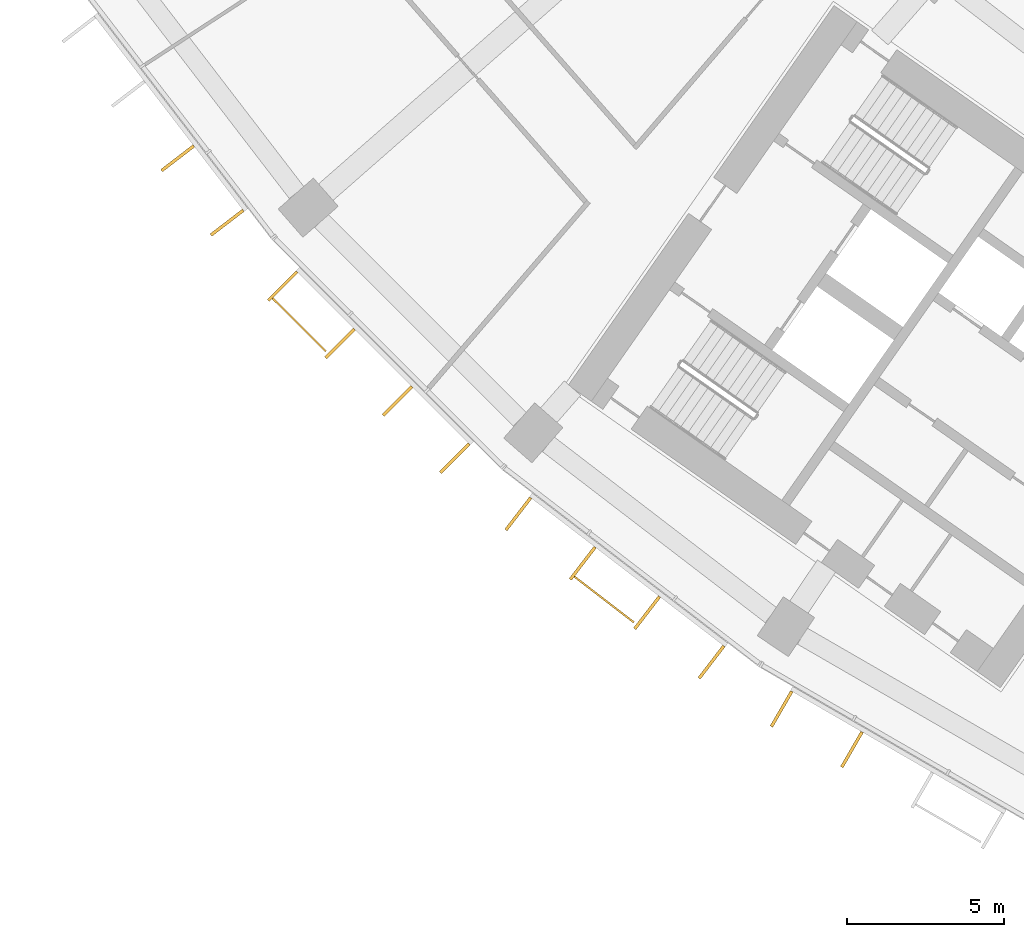
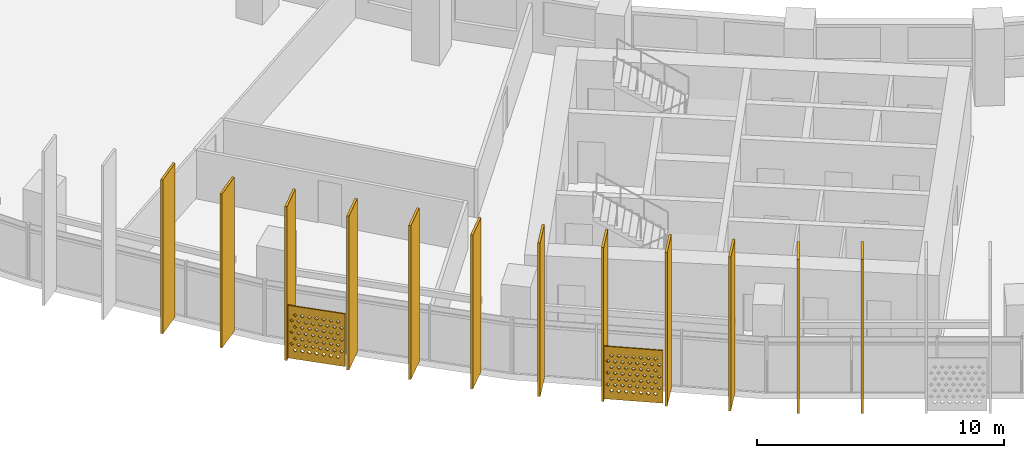
# One storey, part 23 of 30: 14 shading devices.
"""IFC4 building model written with IfcOpenShell, lengths in metres."""

import ifcopenshell
import ifcopenshell.guid

model = None  # the IFC model being written
_history = None  # IfcOwnerHistory: only IFC2X3 demands one
_inside = {}  # id of a spatial element -> (the spatial element, [elements in it])
_under = {}  # id of a project, library or spatial element -> (it, [spatial elements below it])
_declared = {}  # id of a project -> (the project, [libraries it declares])
_typed = {}  # id of a type object -> (the type object, [elements of that type])
_made_of = {}  # id of a material, layer set ... -> (it, [elements and type objects made of it])


def new_model(schema):
    """Start an empty IFC model of exactly this schema.

    Asked for "IFC4X3", IfcOpenShell would pick the latest addendum, in which some entities
    have other attributes; the version numbers below select the first issue.
    IFC2X3 requires an IfcOwnerHistory on every rooted entity: one is made here for all.
    """
    global model, _history
    if schema == "IFC4X3":
        model = ifcopenshell.file(schema_version=(4, 3, 0, 0))
    else:
        model = ifcopenshell.file(schema=schema)
    _inside.clear()
    _under.clear()
    _declared.clear()
    _typed.clear()
    _made_of.clear()
    _history = None
    if model.schema == "IFC2X3":
        org = make("IfcOrganization", Name="unknown")
        user = make(
            "IfcPersonAndOrganization",
            ThePerson=make("IfcPerson", FamilyName="unknown"),
            TheOrganization=org,
        )
        app = make(
            "IfcApplication",
            ApplicationDeveloper=org,
            Version="unknown",
            ApplicationFullName="unknown",
            ApplicationIdentifier="unknown",
        )
        _history = make(
            "IfcOwnerHistory",
            OwningUser=user,
            OwningApplication=app,
            ChangeAction="ADDED",
            CreationDate=0,
        )
    return model


def make(cls, **values):
    """One entity of the class cls with the attributes given. An attribute that is None is left unset."""
    return model.create_entity(
        cls, **{name: value for name, value in values.items() if value is not None}
    )


def rooted(cls, **values):
    """An entity with a GlobalId (a new one), such as an element, a storey or a relation."""
    return make(cls, GlobalId=ifcopenshell.guid.new(), OwnerHistory=_history, **values)


def si_unit(unit_type, name, prefix=None):
    """IfcSIUnit, for example si_unit("LENGTHUNIT", "METRE", prefix="MILLI")."""
    return make("IfcSIUnit", UnitType=unit_type, Prefix=prefix, Name=name)


def assignment(units):
    """IfcUnitAssignment: the units of a project."""
    return None if units is None else make("IfcUnitAssignment", Units=units)


def point(xyz):
    """IfcCartesianPoint."""
    return None if xyz is None else make("IfcCartesianPoint", Coordinates=xyz)


def direction(xyz):
    """IfcDirection."""
    return None if xyz is None else make("IfcDirection", DirectionRatios=xyz)


def frame(location, z_axis=None, x_axis=None):
    """IfcAxis2Placement3D, a coordinate frame: its origin and axes. An axis left out is left unset."""
    return make(
        "IfcAxis2Placement3D",
        Location=point(location),
        Axis=direction(z_axis),
        RefDirection=direction(x_axis),
    )


def frame_2d(location, x_axis=None):
    """IfcAxis2Placement2D, a coordinate frame in the plane: its origin and x axis."""
    return make(
        "IfcAxis2Placement2D", Location=point(location), RefDirection=direction(x_axis)
    )


def origin():
    """The frame at (0, 0, 0) with its axes left unset."""
    return frame((0.0, 0.0, 0.0))


def origin_2d():
    """The frame at (0, 0) in the plane with its x axis left unset."""
    return frame_2d((0.0, 0.0))


def place(relative_to, where):
    """IfcLocalPlacement: puts the frame where relative to a parent placement (None: the world)."""
    return make(
        "IfcLocalPlacement", PlacementRelTo=relative_to, RelativePlacement=where
    )


def context(
    kind, dimensions, precision=None, world=None, true_north=None, identifier=None
):
    """IfcGeometricRepresentationContext, for example the 3D "Model" context."""
    return make(
        "IfcGeometricRepresentationContext",
        ContextIdentifier=identifier,
        ContextType=kind,
        CoordinateSpaceDimension=dimensions,
        Precision=precision,
        WorldCoordinateSystem=world,
        TrueNorth=true_north,
    )


def subcontext(parent, identifier, kind, view, scale=None):
    """IfcGeometricRepresentationSubContext, for example "Body" below "Model"."""
    return make(
        "IfcGeometricRepresentationSubContext",
        ContextIdentifier=identifier,
        ContextType=kind,
        ParentContext=parent,
        TargetScale=scale,
        TargetView=view,
    )


def project(units=None, contexts=None):
    """IfcProject with its units and contexts."""
    return rooted(
        "IfcProject",
        Name="project",
        RepresentationContexts=contexts,
        UnitsInContext=assignment(units),
    )


def spatial(cls, under=None, at=None, **own):
    """A site, building, storey or space (cls), placed at a placement, below another one or the project."""
    s = rooted(cls, ObjectPlacement=at, **own)
    if under is not None:
        _under.setdefault(under.id(), (under, []))[1].append(s)
    return s


def polyline(points):
    """IfcPolyline through the points."""
    return make("IfcPolyline", Points=[point(p) for p in points])


def profile(cls, at=None, kind="AREA", **sizes):
    """A parametric profile (cls). Its sizes go by their IFC names, for example OverallWidth=200.0."""
    return make(cls, ProfileType=kind, Position=at, **sizes)


def rectangle(**sizes):
    """IfcRectangleProfileDef."""
    return profile("IfcRectangleProfileDef", **sizes)


def outline(outer, holes=None, kind="AREA"):
    """IfcArbitraryClosedProfileDef: a profile drawn as a closed curve; with holes, ...WithVoids."""
    if holes is None:
        return make("IfcArbitraryClosedProfileDef", ProfileType=kind, OuterCurve=outer)
    return make(
        "IfcArbitraryProfileDefWithVoids",
        ProfileType=kind,
        OuterCurve=outer,
        InnerCurves=holes,
    )


def extrude(swept, where, along, depth):
    """IfcExtrudedAreaSolid: the profile swept, set in the frame where, extruded along a direction by depth."""
    return make(
        "IfcExtrudedAreaSolid",
        SweptArea=swept,
        Position=where,
        ExtrudedDirection=direction(along),
        Depth=depth,
    )


def shape(context_of_items, identifier, shape_type, items):
    """IfcShapeRepresentation: the items that make up one representation, for example the "Body"."""
    return make(
        "IfcShapeRepresentation",
        ContextOfItems=context_of_items,
        RepresentationIdentifier=identifier,
        RepresentationType=shape_type,
        Items=items,
    )


def material(Name=None, Category=None):
    """IfcMaterial."""
    return make("IfcMaterial", Name=Name, Category=Category)


def material_profile(
    of_material, cross_section, Name=None, Category=None, Priority=None
):
    """IfcMaterialProfile: a cross section and its material."""
    return make(
        "IfcMaterialProfile",
        Name=Name,
        Material=of_material,
        Profile=cross_section,
        Priority=Priority,
        Category=Category,
    )


def profile_set(profiles, Name=None, composite=None):
    """IfcMaterialProfileSet."""
    return make(
        "IfcMaterialProfileSet",
        Name=Name,
        MaterialProfiles=profiles,
        CompositeProfile=composite,
    )


def made_of(thing, what):
    """Note that an element or type object is made of a material, layer set ...; save() writes the relation."""
    if what is not None:
        _made_of.setdefault(what.id(), (what, []))[1].append(thing)
    return thing


def type_object(cls, material=None, **own):
    """A type object (cls), such as IfcWallType, which elements share."""
    return made_of(rooted(cls, **own), material)


def element(
    cls,
    number,
    at=None,
    inside=None,
    cuts=None,
    type_object=None,
    material=None,
    context=None,
    identifier="Body",
    shape_type=None,
    held_by="IfcProductDefinitionShape",
    body=None,
    shapes=None,
    **own,
):
    """One element of the class cls, such as IfcWall. Its Tag is "e" and its number.

    at: its placement. inside: the storey or other place that contains it. cuts: it is an
    opening in that element (IfcRelVoidsElement). A single representation is given by context,
    identifier, shape_type and body (its items); several are given by shapes. held_by: the class
    of the entity that holds the representations. save() writes the other relations.
    """
    e = rooted(cls, Tag="e%d" % number, ObjectPlacement=at, **own)
    if body is not None:
        shapes = [shape(context, identifier, shape_type, body)]
    if shapes is not None:
        e.Representation = make(held_by, Representations=shapes)
    if inside is not None:
        _inside.setdefault(inside.id(), (inside, []))[1].append(e)
    if cuts is not None:
        rooted(
            "IfcRelVoidsElement", RelatingBuildingElement=cuts, RelatedOpeningElement=e
        )
    if type_object is not None:
        _typed.setdefault(type_object.id(), (type_object, []))[1].append(e)
    return made_of(e, material)


def aggregate(whole, parts):
    """IfcRelAggregates: a whole, such as a stair, and the parts it consists of."""
    return rooted("IfcRelAggregates", RelatingObject=whole, RelatedObjects=parts)


def save(model, path):
    """Write the relations noted so far, then the file.

    IfcRelAggregates (storeys below a building ...), IfcRelContainedInSpatialStructure (elements
    in a storey), IfcRelDefinesByType, IfcRelAssociatesMaterial and IfcRelDeclares: one each for
    every whole, place, type object, material and project.
    """
    for whole, parts in _under.values():
        aggregate(whole, parts)
    for where, things in _inside.values():
        rooted(
            "IfcRelContainedInSpatialStructure",
            RelatedElements=things,
            RelatingStructure=where,
        )
    for kind, things in _typed.values():
        rooted("IfcRelDefinesByType", RelatedObjects=things, RelatingType=kind)
    for what, things in _made_of.values():
        rooted("IfcRelAssociatesMaterial", RelatedObjects=things, RelatingMaterial=what)
    for by, libraries in _declared.values():
        rooted("IfcRelDeclares", RelatingContext=by, RelatedDefinitions=libraries)
    model.write(path)


model = new_model("IFC4")

# Units and contexts
model_context = context("Model", 3, precision=1e-05, world=origin(), true_north=direction((0.0, 1.0)))
body_context = subcontext(model_context, "Body", "Model", "MODEL_VIEW")
ifc_project = project(units=[si_unit("LENGTHUNIT", "METRE"), si_unit("AREAUNIT", "SQUARE_METRE"), si_unit("VOLUMEUNIT", "CUBIC_METRE"), si_unit("PLANEANGLEUNIT", "RADIAN"), si_unit("MASSUNIT", "GRAM", prefix="KILO")], contexts=[model_context])

# Site, building, storey
site_placement = place(None, origin())
site = spatial("IfcSite", under=ifc_project, at=site_placement, CompositionType="ELEMENT")
building_placement = place(site_placement, origin())
building = spatial("IfcBuilding", under=site, at=building_placement, Name="Qamariyya Broadcast Tower", CompositionType="ELEMENT")
storey_placement = place(building_placement, frame((0.0, 0.0, 117.699951171875)))
storey = spatial("IfcBuildingStorey", under=building, at=storey_placement, Name="L26", CompositionType="ELEMENT", Elevation=117.699951171875)

# Shading devices
ifc_material_1 = material(Name="Perforated glazed terracotta", Category="masonry")
ifc_material_profile_1 = material_profile(ifc_material_1, outline(polyline([(-1.199951171875, -1.300048828125), (1.199951171875, -1.300048828125), (1.199951171875, 1.300048828125), (-1.199951171875, 1.300048828125), (-1.199951171875, -1.300048828125)]), holes=[polyline([(-0.81494140625, -0.86669921875), (-0.89990234375, -0.78173828125), (-0.985107421875, -0.86669921875), (-0.89990234375, -0.95166015625), (-0.81494140625, -0.86669921875)]), polyline([(-0.514892578125, -0.86669921875), (-0.60009765625, -0.78173828125), (-0.68505859375, -0.86669921875), (-0.60009765625, -0.95166015625), (-0.514892578125, -0.86669921875)]), polyline([(-0.215087890625, -0.86669921875), (-0.300048828125, -0.78173828125), (-0.385009765625, -0.86669921875), (-0.300048828125, -0.95166015625), (-0.215087890625, -0.86669921875)]), polyline([(0.0849609375, -0.86669921875), (0.0, -0.78173828125), (-0.0849609375, -0.86669921875), (0.0, -0.95166015625), (0.0849609375, -0.86669921875)]), polyline([(0.385009765625, -0.86669921875), (0.300048828125, -0.78173828125), (0.215087890625, -0.86669921875), (0.300048828125, -0.95166015625), (0.385009765625, -0.86669921875)]), polyline([(0.68505859375, -0.86669921875), (0.60009765625, -0.78173828125), (0.514892578125, -0.86669921875), (0.60009765625, -0.95166015625), (0.68505859375, -0.86669921875)]), polyline([(0.985107421875, -0.86669921875), (0.89990234375, -0.78173828125), (0.81494140625, -0.86669921875), (0.89990234375, -0.95166015625), (0.985107421875, -0.86669921875)]), polyline([(-0.965087890625, -0.577880859375), (-1.050048828125, -0.49267578125), (-1.135009765625, -0.577880859375), (-1.050048828125, -0.662841796875), (-0.965087890625, -0.577880859375)]), polyline([(-0.6650390625, -0.577880859375), (-0.75, -0.49267578125), (-0.8349609375, -0.577880859375), (-0.75, -0.662841796875), (-0.6650390625, -0.577880859375)]), polyline([(-0.364990234375, -0.577880859375), (-0.449951171875, -0.49267578125), (-0.534912109375, -0.577880859375), (-0.449951171875, -0.662841796875), (-0.364990234375, -0.577880859375)]), polyline([(-0.06494140625, -0.577880859375), (-0.14990234375, -0.49267578125), (-0.235107421875, -0.577880859375), (-0.14990234375, -0.662841796875), (-0.06494140625, -0.577880859375)]), polyline([(0.235107421875, -0.577880859375), (0.14990234375, -0.49267578125), (0.06494140625, -0.577880859375), (0.14990234375, -0.662841796875), (0.235107421875, -0.577880859375)]), polyline([(0.534912109375, -0.577880859375), (0.449951171875, -0.49267578125), (0.364990234375, -0.577880859375), (0.449951171875, -0.662841796875), (0.534912109375, -0.577880859375)]), polyline([(0.8349609375, -0.577880859375), (0.75, -0.49267578125), (0.6650390625, -0.577880859375), (0.75, -0.662841796875), (0.8349609375, -0.577880859375)]), polyline([(1.135009765625, -0.577880859375), (1.050048828125, -0.49267578125), (0.965087890625, -0.577880859375), (1.050048828125, -0.662841796875), (1.135009765625, -0.577880859375)]), polyline([(-0.81494140625, -0.288818359375), (-0.89990234375, -0.203857421875), (-0.985107421875, -0.288818359375), (-0.89990234375, -0.373779296875), (-0.81494140625, -0.288818359375)]), polyline([(-0.514892578125, -0.288818359375), (-0.60009765625, -0.203857421875), (-0.68505859375, -0.288818359375), (-0.60009765625, -0.373779296875), (-0.514892578125, -0.288818359375)]), polyline([(-0.215087890625, -0.288818359375), (-0.300048828125, -0.203857421875), (-0.385009765625, -0.288818359375), (-0.300048828125, -0.373779296875), (-0.215087890625, -0.288818359375)]), polyline([(0.0849609375, -0.288818359375), (0.0, -0.203857421875), (-0.0849609375, -0.288818359375), (0.0, -0.373779296875), (0.0849609375, -0.288818359375)]), polyline([(0.385009765625, -0.288818359375), (0.300048828125, -0.203857421875), (0.215087890625, -0.288818359375), (0.300048828125, -0.373779296875), (0.385009765625, -0.288818359375)]), polyline([(0.68505859375, -0.288818359375), (0.60009765625, -0.203857421875), (0.514892578125, -0.288818359375), (0.60009765625, -0.373779296875), (0.68505859375, -0.288818359375)]), polyline([(0.985107421875, -0.288818359375), (0.89990234375, -0.203857421875), (0.81494140625, -0.288818359375), (0.89990234375, -0.373779296875), (0.985107421875, -0.288818359375)]), polyline([(-0.965087890625, 0.0), (-1.050048828125, 0.0849609375), (-1.135009765625, 0.0), (-1.050048828125, -0.0849609375), (-0.965087890625, 0.0)]), polyline([(-0.6650390625, 0.0), (-0.75, 0.0849609375), (-0.8349609375, 0.0), (-0.75, -0.0849609375), (-0.6650390625, 0.0)]), polyline([(-0.364990234375, 0.0), (-0.449951171875, 0.0849609375), (-0.534912109375, 0.0), (-0.449951171875, -0.0849609375), (-0.364990234375, 0.0)]), polyline([(-0.06494140625, 0.0), (-0.14990234375, 0.0849609375), (-0.235107421875, 0.0), (-0.14990234375, -0.0849609375), (-0.06494140625, 0.0)]), polyline([(0.235107421875, 0.0), (0.14990234375, 0.0849609375), (0.06494140625, 0.0), (0.14990234375, -0.0849609375), (0.235107421875, 0.0)]), polyline([(0.534912109375, 0.0), (0.449951171875, 0.0849609375), (0.364990234375, 0.0), (0.449951171875, -0.0849609375), (0.534912109375, 0.0)]), polyline([(0.8349609375, 0.0), (0.75, 0.0849609375), (0.6650390625, 0.0), (0.75, -0.0849609375), (0.8349609375, 0.0)]), polyline([(1.135009765625, 0.0), (1.050048828125, 0.0849609375), (0.965087890625, 0.0), (1.050048828125, -0.0849609375), (1.135009765625, 0.0)]), polyline([(-0.81494140625, 0.288818359375), (-0.89990234375, 0.373779296875), (-0.985107421875, 0.288818359375), (-0.89990234375, 0.203857421875), (-0.81494140625, 0.288818359375)]), polyline([(-0.514892578125, 0.288818359375), (-0.60009765625, 0.373779296875), (-0.68505859375, 0.288818359375), (-0.60009765625, 0.203857421875), (-0.514892578125, 0.288818359375)]), polyline([(-0.215087890625, 0.288818359375), (-0.300048828125, 0.373779296875), (-0.385009765625, 0.288818359375), (-0.300048828125, 0.203857421875), (-0.215087890625, 0.288818359375)]), polyline([(0.0849609375, 0.288818359375), (0.0, 0.373779296875), (-0.0849609375, 0.288818359375), (0.0, 0.203857421875), (0.0849609375, 0.288818359375)]), polyline([(0.385009765625, 0.288818359375), (0.300048828125, 0.373779296875), (0.215087890625, 0.288818359375), (0.300048828125, 0.203857421875), (0.385009765625, 0.288818359375)]), polyline([(0.68505859375, 0.288818359375), (0.60009765625, 0.373779296875), (0.514892578125, 0.288818359375), (0.60009765625, 0.203857421875), (0.68505859375, 0.288818359375)]), polyline([(0.985107421875, 0.288818359375), (0.89990234375, 0.373779296875), (0.81494140625, 0.288818359375), (0.89990234375, 0.203857421875), (0.985107421875, 0.288818359375)]), polyline([(-0.965087890625, 0.577880859375), (-1.050048828125, 0.662841796875), (-1.135009765625, 0.577880859375), (-1.050048828125, 0.49267578125), (-0.965087890625, 0.577880859375)]), polyline([(-0.6650390625, 0.577880859375), (-0.75, 0.662841796875), (-0.8349609375, 0.577880859375), (-0.75, 0.49267578125), (-0.6650390625, 0.577880859375)]), polyline([(-0.364990234375, 0.577880859375), (-0.449951171875, 0.662841796875), (-0.534912109375, 0.577880859375), (-0.449951171875, 0.49267578125), (-0.364990234375, 0.577880859375)]), polyline([(-0.06494140625, 0.577880859375), (-0.14990234375, 0.662841796875), (-0.235107421875, 0.577880859375), (-0.14990234375, 0.49267578125), (-0.06494140625, 0.577880859375)]), polyline([(0.235107421875, 0.577880859375), (0.14990234375, 0.662841796875), (0.06494140625, 0.577880859375), (0.14990234375, 0.49267578125), (0.235107421875, 0.577880859375)]), polyline([(0.534912109375, 0.577880859375), (0.449951171875, 0.662841796875), (0.364990234375, 0.577880859375), (0.449951171875, 0.49267578125), (0.534912109375, 0.577880859375)]), polyline([(0.8349609375, 0.577880859375), (0.75, 0.662841796875), (0.6650390625, 0.577880859375), (0.75, 0.49267578125), (0.8349609375, 0.577880859375)]), polyline([(1.135009765625, 0.577880859375), (1.050048828125, 0.662841796875), (0.965087890625, 0.577880859375), (1.050048828125, 0.49267578125), (1.135009765625, 0.577880859375)]), polyline([(-0.81494140625, 0.86669921875), (-0.89990234375, 0.95166015625), (-0.985107421875, 0.86669921875), (-0.89990234375, 0.78173828125), (-0.81494140625, 0.86669921875)]), polyline([(-0.514892578125, 0.86669921875), (-0.60009765625, 0.95166015625), (-0.68505859375, 0.86669921875), (-0.60009765625, 0.78173828125), (-0.514892578125, 0.86669921875)]), polyline([(-0.215087890625, 0.86669921875), (-0.300048828125, 0.95166015625), (-0.385009765625, 0.86669921875), (-0.300048828125, 0.78173828125), (-0.215087890625, 0.86669921875)]), polyline([(0.0849609375, 0.86669921875), (0.0, 0.95166015625), (-0.0849609375, 0.86669921875), (0.0, 0.78173828125), (0.0849609375, 0.86669921875)]), polyline([(0.385009765625, 0.86669921875), (0.300048828125, 0.95166015625), (0.215087890625, 0.86669921875), (0.300048828125, 0.78173828125), (0.385009765625, 0.86669921875)]), polyline([(0.68505859375, 0.86669921875), (0.60009765625, 0.95166015625), (0.514892578125, 0.86669921875), (0.60009765625, 0.78173828125), (0.68505859375, 0.86669921875)]), polyline([(0.985107421875, 0.86669921875), (0.89990234375, 0.95166015625), (0.81494140625, 0.86669921875), (0.89990234375, 0.78173828125), (0.985107421875, 0.86669921875)])]))
ifc_profile_set_1 = profile_set([ifc_material_profile_1], Name="Perforated glazed terracotta")
shading_device_type_1 = type_object("IfcShadingDeviceType", Name="Perforated terracotta screen 2400 x 2600", PredefinedType="USERDEFINED", material=ifc_profile_set_1)
shading_device_1_placement = place(storey_placement, frame((-58.71826171875, -54.98486328125, 1.35009765625), z_axis=(-0.705066081692, -0.709141608176, 0.0), x_axis=(0.709141608176, -0.705066081692, 0.0)))
element("IfcShadingDevice", 1, at=shading_device_1_placement, inside=storey, type_object=shading_device_type_1, Name="e-scr-L26-03-0", ObjectType="SCREEN", PredefinedType="USERDEFINED", context=body_context, shape_type="SweptSolid", body=[
    extrude(outline(polyline([(-1.199951171875, -1.300048828125), (1.199951171875, -1.300048828125), (1.199951171875, 1.300048828125), (-1.199951171875, 1.300048828125), (-1.199951171875, -1.300048828125)]), holes=[polyline([(-0.81494140625, -0.86669921875), (-0.89990234375, -0.78173828125), (-0.985107421875, -0.86669921875), (-0.89990234375, -0.95166015625), (-0.81494140625, -0.86669921875)]), polyline([(-0.514892578125, -0.86669921875), (-0.60009765625, -0.78173828125), (-0.68505859375, -0.86669921875), (-0.60009765625, -0.95166015625), (-0.514892578125, -0.86669921875)]), polyline([(-0.215087890625, -0.86669921875), (-0.300048828125, -0.78173828125), (-0.385009765625, -0.86669921875), (-0.300048828125, -0.95166015625), (-0.215087890625, -0.86669921875)]), polyline([(0.0849609375, -0.86669921875), (0.0, -0.78173828125), (-0.0849609375, -0.86669921875), (0.0, -0.95166015625), (0.0849609375, -0.86669921875)]), polyline([(0.385009765625, -0.86669921875), (0.300048828125, -0.78173828125), (0.215087890625, -0.86669921875), (0.300048828125, -0.95166015625), (0.385009765625, -0.86669921875)]), polyline([(0.68505859375, -0.86669921875), (0.60009765625, -0.78173828125), (0.514892578125, -0.86669921875), (0.60009765625, -0.95166015625), (0.68505859375, -0.86669921875)]), polyline([(0.985107421875, -0.86669921875), (0.89990234375, -0.78173828125), (0.81494140625, -0.86669921875), (0.89990234375, -0.95166015625), (0.985107421875, -0.86669921875)]), polyline([(-0.965087890625, -0.577880859375), (-1.050048828125, -0.49267578125), (-1.135009765625, -0.577880859375), (-1.050048828125, -0.662841796875), (-0.965087890625, -0.577880859375)]), polyline([(-0.6650390625, -0.577880859375), (-0.75, -0.49267578125), (-0.8349609375, -0.577880859375), (-0.75, -0.662841796875), (-0.6650390625, -0.577880859375)]), polyline([(-0.364990234375, -0.577880859375), (-0.449951171875, -0.49267578125), (-0.534912109375, -0.577880859375), (-0.449951171875, -0.662841796875), (-0.364990234375, -0.577880859375)]), polyline([(-0.06494140625, -0.577880859375), (-0.14990234375, -0.49267578125), (-0.235107421875, -0.577880859375), (-0.14990234375, -0.662841796875), (-0.06494140625, -0.577880859375)]), polyline([(0.235107421875, -0.577880859375), (0.14990234375, -0.49267578125), (0.06494140625, -0.577880859375), (0.14990234375, -0.662841796875), (0.235107421875, -0.577880859375)]), polyline([(0.534912109375, -0.577880859375), (0.449951171875, -0.49267578125), (0.364990234375, -0.577880859375), (0.449951171875, -0.662841796875), (0.534912109375, -0.577880859375)]), polyline([(0.8349609375, -0.577880859375), (0.75, -0.49267578125), (0.6650390625, -0.577880859375), (0.75, -0.662841796875), (0.8349609375, -0.577880859375)]), polyline([(1.135009765625, -0.577880859375), (1.050048828125, -0.49267578125), (0.965087890625, -0.577880859375), (1.050048828125, -0.662841796875), (1.135009765625, -0.577880859375)]), polyline([(-0.81494140625, -0.288818359375), (-0.89990234375, -0.203857421875), (-0.985107421875, -0.288818359375), (-0.89990234375, -0.373779296875), (-0.81494140625, -0.288818359375)]), polyline([(-0.514892578125, -0.288818359375), (-0.60009765625, -0.203857421875), (-0.68505859375, -0.288818359375), (-0.60009765625, -0.373779296875), (-0.514892578125, -0.288818359375)]), polyline([(-0.215087890625, -0.288818359375), (-0.300048828125, -0.203857421875), (-0.385009765625, -0.288818359375), (-0.300048828125, -0.373779296875), (-0.215087890625, -0.288818359375)]), polyline([(0.0849609375, -0.288818359375), (0.0, -0.203857421875), (-0.0849609375, -0.288818359375), (0.0, -0.373779296875), (0.0849609375, -0.288818359375)]), polyline([(0.385009765625, -0.288818359375), (0.300048828125, -0.203857421875), (0.215087890625, -0.288818359375), (0.300048828125, -0.373779296875), (0.385009765625, -0.288818359375)]), polyline([(0.68505859375, -0.288818359375), (0.60009765625, -0.203857421875), (0.514892578125, -0.288818359375), (0.60009765625, -0.373779296875), (0.68505859375, -0.288818359375)]), polyline([(0.985107421875, -0.288818359375), (0.89990234375, -0.203857421875), (0.81494140625, -0.288818359375), (0.89990234375, -0.373779296875), (0.985107421875, -0.288818359375)]), polyline([(-0.965087890625, 0.0), (-1.050048828125, 0.0849609375), (-1.135009765625, 0.0), (-1.050048828125, -0.0849609375), (-0.965087890625, 0.0)]), polyline([(-0.6650390625, 0.0), (-0.75, 0.0849609375), (-0.8349609375, 0.0), (-0.75, -0.0849609375), (-0.6650390625, 0.0)]), polyline([(-0.364990234375, 0.0), (-0.449951171875, 0.0849609375), (-0.534912109375, 0.0), (-0.449951171875, -0.0849609375), (-0.364990234375, 0.0)]), polyline([(-0.06494140625, 0.0), (-0.14990234375, 0.0849609375), (-0.235107421875, 0.0), (-0.14990234375, -0.0849609375), (-0.06494140625, 0.0)]), polyline([(0.235107421875, 0.0), (0.14990234375, 0.0849609375), (0.06494140625, 0.0), (0.14990234375, -0.0849609375), (0.235107421875, 0.0)]), polyline([(0.534912109375, 0.0), (0.449951171875, 0.0849609375), (0.364990234375, 0.0), (0.449951171875, -0.0849609375), (0.534912109375, 0.0)]), polyline([(0.8349609375, 0.0), (0.75, 0.0849609375), (0.6650390625, 0.0), (0.75, -0.0849609375), (0.8349609375, 0.0)]), polyline([(1.135009765625, 0.0), (1.050048828125, 0.0849609375), (0.965087890625, 0.0), (1.050048828125, -0.0849609375), (1.135009765625, 0.0)]), polyline([(-0.81494140625, 0.288818359375), (-0.89990234375, 0.373779296875), (-0.985107421875, 0.288818359375), (-0.89990234375, 0.203857421875), (-0.81494140625, 0.288818359375)]), polyline([(-0.514892578125, 0.288818359375), (-0.60009765625, 0.373779296875), (-0.68505859375, 0.288818359375), (-0.60009765625, 0.203857421875), (-0.514892578125, 0.288818359375)]), polyline([(-0.215087890625, 0.288818359375), (-0.300048828125, 0.373779296875), (-0.385009765625, 0.288818359375), (-0.300048828125, 0.203857421875), (-0.215087890625, 0.288818359375)]), polyline([(0.0849609375, 0.288818359375), (0.0, 0.373779296875), (-0.0849609375, 0.288818359375), (0.0, 0.203857421875), (0.0849609375, 0.288818359375)]), polyline([(0.385009765625, 0.288818359375), (0.300048828125, 0.373779296875), (0.215087890625, 0.288818359375), (0.300048828125, 0.203857421875), (0.385009765625, 0.288818359375)]), polyline([(0.68505859375, 0.288818359375), (0.60009765625, 0.373779296875), (0.514892578125, 0.288818359375), (0.60009765625, 0.203857421875), (0.68505859375, 0.288818359375)]), polyline([(0.985107421875, 0.288818359375), (0.89990234375, 0.373779296875), (0.81494140625, 0.288818359375), (0.89990234375, 0.203857421875), (0.985107421875, 0.288818359375)]), polyline([(-0.965087890625, 0.577880859375), (-1.050048828125, 0.662841796875), (-1.135009765625, 0.577880859375), (-1.050048828125, 0.49267578125), (-0.965087890625, 0.577880859375)]), polyline([(-0.6650390625, 0.577880859375), (-0.75, 0.662841796875), (-0.8349609375, 0.577880859375), (-0.75, 0.49267578125), (-0.6650390625, 0.577880859375)]), polyline([(-0.364990234375, 0.577880859375), (-0.449951171875, 0.662841796875), (-0.534912109375, 0.577880859375), (-0.449951171875, 0.49267578125), (-0.364990234375, 0.577880859375)]), polyline([(-0.06494140625, 0.577880859375), (-0.14990234375, 0.662841796875), (-0.235107421875, 0.577880859375), (-0.14990234375, 0.49267578125), (-0.06494140625, 0.577880859375)]), polyline([(0.235107421875, 0.577880859375), (0.14990234375, 0.662841796875), (0.06494140625, 0.577880859375), (0.14990234375, 0.49267578125), (0.235107421875, 0.577880859375)]), polyline([(0.534912109375, 0.577880859375), (0.449951171875, 0.662841796875), (0.364990234375, 0.577880859375), (0.449951171875, 0.49267578125), (0.534912109375, 0.577880859375)]), polyline([(0.8349609375, 0.577880859375), (0.75, 0.662841796875), (0.6650390625, 0.577880859375), (0.75, 0.49267578125), (0.8349609375, 0.577880859375)]), polyline([(1.135009765625, 0.577880859375), (1.050048828125, 0.662841796875), (0.965087890625, 0.577880859375), (1.050048828125, 0.49267578125), (1.135009765625, 0.577880859375)]), polyline([(-0.81494140625, 0.86669921875), (-0.89990234375, 0.95166015625), (-0.985107421875, 0.86669921875), (-0.89990234375, 0.78173828125), (-0.81494140625, 0.86669921875)]), polyline([(-0.514892578125, 0.86669921875), (-0.60009765625, 0.95166015625), (-0.68505859375, 0.86669921875), (-0.60009765625, 0.78173828125), (-0.514892578125, 0.86669921875)]), polyline([(-0.215087890625, 0.86669921875), (-0.300048828125, 0.95166015625), (-0.385009765625, 0.86669921875), (-0.300048828125, 0.78173828125), (-0.215087890625, 0.86669921875)]), polyline([(0.0849609375, 0.86669921875), (0.0, 0.95166015625), (-0.0849609375, 0.86669921875), (0.0, 0.78173828125), (0.0849609375, 0.86669921875)]), polyline([(0.385009765625, 0.86669921875), (0.300048828125, 0.95166015625), (0.215087890625, 0.86669921875), (0.300048828125, 0.78173828125), (0.385009765625, 0.86669921875)]), polyline([(0.68505859375, 0.86669921875), (0.60009765625, 0.95166015625), (0.514892578125, 0.86669921875), (0.60009765625, 0.78173828125), (0.68505859375, 0.86669921875)]), polyline([(0.985107421875, 0.86669921875), (0.89990234375, 0.95166015625), (0.81494140625, 0.86669921875), (0.89990234375, 0.78173828125), (0.985107421875, 0.86669921875)])]), origin(), (0.0, 0.0, 1.0), 0.059814453125),
])
shading_device_2_placement = place(storey_placement, frame((-48.9814453125, -63.75732421875, 1.35009765625), z_axis=(-0.60971076085, -0.792623989105, 0.0), x_axis=(0.792623989105, -0.60971076085, 0.0)))
element("IfcShadingDevice", 2, at=shading_device_2_placement, inside=storey, type_object=shading_device_type_1, Name="e-scr-L26-04-1", ObjectType="SCREEN", PredefinedType="USERDEFINED", context=body_context, shape_type="SweptSolid", body=[
    extrude(outline(polyline([(-1.199951171875, -1.300048828125), (1.199951171875, -1.300048828125), (1.199951171875, 1.300048828125), (-1.199951171875, 1.300048828125), (-1.199951171875, -1.300048828125)]), holes=[polyline([(-0.81494140625, -0.86669921875), (-0.89990234375, -0.78173828125), (-0.985107421875, -0.86669921875), (-0.89990234375, -0.95166015625), (-0.81494140625, -0.86669921875)]), polyline([(-0.514892578125, -0.86669921875), (-0.60009765625, -0.78173828125), (-0.68505859375, -0.86669921875), (-0.60009765625, -0.95166015625), (-0.514892578125, -0.86669921875)]), polyline([(-0.215087890625, -0.86669921875), (-0.300048828125, -0.78173828125), (-0.385009765625, -0.86669921875), (-0.300048828125, -0.95166015625), (-0.215087890625, -0.86669921875)]), polyline([(0.0849609375, -0.86669921875), (0.0, -0.78173828125), (-0.0849609375, -0.86669921875), (0.0, -0.95166015625), (0.0849609375, -0.86669921875)]), polyline([(0.385009765625, -0.86669921875), (0.300048828125, -0.78173828125), (0.215087890625, -0.86669921875), (0.300048828125, -0.95166015625), (0.385009765625, -0.86669921875)]), polyline([(0.68505859375, -0.86669921875), (0.60009765625, -0.78173828125), (0.514892578125, -0.86669921875), (0.60009765625, -0.95166015625), (0.68505859375, -0.86669921875)]), polyline([(0.985107421875, -0.86669921875), (0.89990234375, -0.78173828125), (0.81494140625, -0.86669921875), (0.89990234375, -0.95166015625), (0.985107421875, -0.86669921875)]), polyline([(-0.965087890625, -0.577880859375), (-1.050048828125, -0.49267578125), (-1.135009765625, -0.577880859375), (-1.050048828125, -0.662841796875), (-0.965087890625, -0.577880859375)]), polyline([(-0.6650390625, -0.577880859375), (-0.75, -0.49267578125), (-0.8349609375, -0.577880859375), (-0.75, -0.662841796875), (-0.6650390625, -0.577880859375)]), polyline([(-0.364990234375, -0.577880859375), (-0.449951171875, -0.49267578125), (-0.534912109375, -0.577880859375), (-0.449951171875, -0.662841796875), (-0.364990234375, -0.577880859375)]), polyline([(-0.06494140625, -0.577880859375), (-0.14990234375, -0.49267578125), (-0.235107421875, -0.577880859375), (-0.14990234375, -0.662841796875), (-0.06494140625, -0.577880859375)]), polyline([(0.235107421875, -0.577880859375), (0.14990234375, -0.49267578125), (0.06494140625, -0.577880859375), (0.14990234375, -0.662841796875), (0.235107421875, -0.577880859375)]), polyline([(0.534912109375, -0.577880859375), (0.449951171875, -0.49267578125), (0.364990234375, -0.577880859375), (0.449951171875, -0.662841796875), (0.534912109375, -0.577880859375)]), polyline([(0.8349609375, -0.577880859375), (0.75, -0.49267578125), (0.6650390625, -0.577880859375), (0.75, -0.662841796875), (0.8349609375, -0.577880859375)]), polyline([(1.135009765625, -0.577880859375), (1.050048828125, -0.49267578125), (0.965087890625, -0.577880859375), (1.050048828125, -0.662841796875), (1.135009765625, -0.577880859375)]), polyline([(-0.81494140625, -0.288818359375), (-0.89990234375, -0.203857421875), (-0.985107421875, -0.288818359375), (-0.89990234375, -0.373779296875), (-0.81494140625, -0.288818359375)]), polyline([(-0.514892578125, -0.288818359375), (-0.60009765625, -0.203857421875), (-0.68505859375, -0.288818359375), (-0.60009765625, -0.373779296875), (-0.514892578125, -0.288818359375)]), polyline([(-0.215087890625, -0.288818359375), (-0.300048828125, -0.203857421875), (-0.385009765625, -0.288818359375), (-0.300048828125, -0.373779296875), (-0.215087890625, -0.288818359375)]), polyline([(0.0849609375, -0.288818359375), (0.0, -0.203857421875), (-0.0849609375, -0.288818359375), (0.0, -0.373779296875), (0.0849609375, -0.288818359375)]), polyline([(0.385009765625, -0.288818359375), (0.300048828125, -0.203857421875), (0.215087890625, -0.288818359375), (0.300048828125, -0.373779296875), (0.385009765625, -0.288818359375)]), polyline([(0.68505859375, -0.288818359375), (0.60009765625, -0.203857421875), (0.514892578125, -0.288818359375), (0.60009765625, -0.373779296875), (0.68505859375, -0.288818359375)]), polyline([(0.985107421875, -0.288818359375), (0.89990234375, -0.203857421875), (0.81494140625, -0.288818359375), (0.89990234375, -0.373779296875), (0.985107421875, -0.288818359375)]), polyline([(-0.965087890625, 0.0), (-1.050048828125, 0.0849609375), (-1.135009765625, 0.0), (-1.050048828125, -0.0849609375), (-0.965087890625, 0.0)]), polyline([(-0.6650390625, 0.0), (-0.75, 0.0849609375), (-0.8349609375, 0.0), (-0.75, -0.0849609375), (-0.6650390625, 0.0)]), polyline([(-0.364990234375, 0.0), (-0.449951171875, 0.0849609375), (-0.534912109375, 0.0), (-0.449951171875, -0.0849609375), (-0.364990234375, 0.0)]), polyline([(-0.06494140625, 0.0), (-0.14990234375, 0.0849609375), (-0.235107421875, 0.0), (-0.14990234375, -0.0849609375), (-0.06494140625, 0.0)]), polyline([(0.235107421875, 0.0), (0.14990234375, 0.0849609375), (0.06494140625, 0.0), (0.14990234375, -0.0849609375), (0.235107421875, 0.0)]), polyline([(0.534912109375, 0.0), (0.449951171875, 0.0849609375), (0.364990234375, 0.0), (0.449951171875, -0.0849609375), (0.534912109375, 0.0)]), polyline([(0.8349609375, 0.0), (0.75, 0.0849609375), (0.6650390625, 0.0), (0.75, -0.0849609375), (0.8349609375, 0.0)]), polyline([(1.135009765625, 0.0), (1.050048828125, 0.0849609375), (0.965087890625, 0.0), (1.050048828125, -0.0849609375), (1.135009765625, 0.0)]), polyline([(-0.81494140625, 0.288818359375), (-0.89990234375, 0.373779296875), (-0.985107421875, 0.288818359375), (-0.89990234375, 0.203857421875), (-0.81494140625, 0.288818359375)]), polyline([(-0.514892578125, 0.288818359375), (-0.60009765625, 0.373779296875), (-0.68505859375, 0.288818359375), (-0.60009765625, 0.203857421875), (-0.514892578125, 0.288818359375)]), polyline([(-0.215087890625, 0.288818359375), (-0.300048828125, 0.373779296875), (-0.385009765625, 0.288818359375), (-0.300048828125, 0.203857421875), (-0.215087890625, 0.288818359375)]), polyline([(0.0849609375, 0.288818359375), (0.0, 0.373779296875), (-0.0849609375, 0.288818359375), (0.0, 0.203857421875), (0.0849609375, 0.288818359375)]), polyline([(0.385009765625, 0.288818359375), (0.300048828125, 0.373779296875), (0.215087890625, 0.288818359375), (0.300048828125, 0.203857421875), (0.385009765625, 0.288818359375)]), polyline([(0.68505859375, 0.288818359375), (0.60009765625, 0.373779296875), (0.514892578125, 0.288818359375), (0.60009765625, 0.203857421875), (0.68505859375, 0.288818359375)]), polyline([(0.985107421875, 0.288818359375), (0.89990234375, 0.373779296875), (0.81494140625, 0.288818359375), (0.89990234375, 0.203857421875), (0.985107421875, 0.288818359375)]), polyline([(-0.965087890625, 0.577880859375), (-1.050048828125, 0.662841796875), (-1.135009765625, 0.577880859375), (-1.050048828125, 0.49267578125), (-0.965087890625, 0.577880859375)]), polyline([(-0.6650390625, 0.577880859375), (-0.75, 0.662841796875), (-0.8349609375, 0.577880859375), (-0.75, 0.49267578125), (-0.6650390625, 0.577880859375)]), polyline([(-0.364990234375, 0.577880859375), (-0.449951171875, 0.662841796875), (-0.534912109375, 0.577880859375), (-0.449951171875, 0.49267578125), (-0.364990234375, 0.577880859375)]), polyline([(-0.06494140625, 0.577880859375), (-0.14990234375, 0.662841796875), (-0.235107421875, 0.577880859375), (-0.14990234375, 0.49267578125), (-0.06494140625, 0.577880859375)]), polyline([(0.235107421875, 0.577880859375), (0.14990234375, 0.662841796875), (0.06494140625, 0.577880859375), (0.14990234375, 0.49267578125), (0.235107421875, 0.577880859375)]), polyline([(0.534912109375, 0.577880859375), (0.449951171875, 0.662841796875), (0.364990234375, 0.577880859375), (0.449951171875, 0.49267578125), (0.534912109375, 0.577880859375)]), polyline([(0.8349609375, 0.577880859375), (0.75, 0.662841796875), (0.6650390625, 0.577880859375), (0.75, 0.49267578125), (0.8349609375, 0.577880859375)]), polyline([(1.135009765625, 0.577880859375), (1.050048828125, 0.662841796875), (0.965087890625, 0.577880859375), (1.050048828125, 0.49267578125), (1.135009765625, 0.577880859375)]), polyline([(-0.81494140625, 0.86669921875), (-0.89990234375, 0.95166015625), (-0.985107421875, 0.86669921875), (-0.89990234375, 0.78173828125), (-0.81494140625, 0.86669921875)]), polyline([(-0.514892578125, 0.86669921875), (-0.60009765625, 0.95166015625), (-0.68505859375, 0.86669921875), (-0.60009765625, 0.78173828125), (-0.514892578125, 0.86669921875)]), polyline([(-0.215087890625, 0.86669921875), (-0.300048828125, 0.95166015625), (-0.385009765625, 0.86669921875), (-0.300048828125, 0.78173828125), (-0.215087890625, 0.86669921875)]), polyline([(0.0849609375, 0.86669921875), (0.0, 0.95166015625), (-0.0849609375, 0.86669921875), (0.0, 0.78173828125), (0.0849609375, 0.86669921875)]), polyline([(0.385009765625, 0.86669921875), (0.300048828125, 0.95166015625), (0.215087890625, 0.86669921875), (0.300048828125, 0.78173828125), (0.385009765625, 0.86669921875)]), polyline([(0.68505859375, 0.86669921875), (0.60009765625, 0.95166015625), (0.514892578125, 0.86669921875), (0.60009765625, 0.78173828125), (0.68505859375, 0.86669921875)]), polyline([(0.985107421875, 0.86669921875), (0.89990234375, 0.95166015625), (0.81494140625, 0.86669921875), (0.89990234375, 0.78173828125), (0.985107421875, 0.86669921875)])]), origin(), (0.0, 0.0, 1.0), 0.06005859375),
])
ifc_material_2 = material(Name="Glazed terracotta", Category="masonry")
ifc_material_profile_2 = material_profile(ifc_material_2, rectangle(XDim=1.300048828125, YDim=0.10009765625, at=origin_2d()))
ifc_profile_set_2 = profile_set([ifc_material_profile_2], Name="Glazed terracotta")
shading_device_type_2 = type_object("IfcShadingDeviceType", Name="Terracotta fin 100 x 1300", PredefinedType="USERDEFINED", material=ifc_profile_set_2)
for number, where, z_axis, x_axis, name in (
    (3, (-62.62353515625, -49.68701171875, 0.0), (0.0, 0.0, 1.0), (-0.793353340291, -0.608761429009, 0.0), "e-fin-L26-02-2"),
    (4, (-61.044921875, -51.744384765625, 0.0), (0.0, 0.0, 1.0), (-0.793353340291, -0.608761429009, 0.0), "e-fin-L26-02-3"),
    (5, (-59.269775390625, -53.7685546875, 0.0), (0.0, 0.0, 1.0), (-0.707106781187, -0.707106781187, 0.0), "e-fin-L26-03-0"),
    (6, (-57.43603515625, -55.602294921875, 0.0), (0.0, 0.0, 1.0), (-0.707106781187, -0.707106781187, 0.0), "e-fin-L26-03-1"),
    (7, (-55.602294921875, -57.43603515625, 0.0), (0.0, 0.0, 1.0), (-0.707106781187, -0.707106781187, 0.0), "e-fin-L26-03-2"),
    (8, (-53.7685546875, -59.269775390625, 0.0), (0.0, 0.0, 1.0), (-0.707106781187, -0.707106781187, 0.0), "e-fin-L26-03-3"),
    (9, (-51.744384765625, -61.044921875, 0.0), (0.0, 0.0, 1.0), (-0.608761429009, -0.793353340291, 0.0), "e-fin-L26-04-0"),
    (10, (-49.68701171875, -62.62353515625, 0.0), (0.0, 0.0, 1.0), (-0.608761429009, -0.793353340291, 0.0), "e-fin-L26-04-1"),
    (11, (-47.629638671875, -64.2021484375, 0.0), (0.0, 0.0, 1.0), (-0.608761429009, -0.793353340291, 0.0), "e-fin-L26-04-2"),
    (12, (-45.572509765625, -65.781005859375, 0.0), (0.0, 0.0, 1.0), (-0.608761429009, -0.793353340291, 0.0), "e-fin-L26-04-3"),
    (13, (-43.333740234375, -67.276611328125, 0.0), (0.0, 0.0, 1.0), (-0.5, -0.866025403784, 0.0), "e-fin-L26-05-0"),
    (14, (-41.087890625, -68.5732421875, 0.0), (0.0, 0.0, 1.0), (-0.5, -0.866025403784, 0.0), "e-fin-L26-05-1"),
):
    element("IfcShadingDevice", number, at=place(storey_placement, frame(where, z_axis=z_axis, x_axis=x_axis)), inside=storey, type_object=shading_device_type_2, Name=name, ObjectType="FIN", PredefinedType="USERDEFINED", context=body_context, shape_type="SweptSolid", body=[
        extrude(rectangle(XDim=1.300048828125, YDim=0.10009765625, at=origin_2d()), origin(), (0.0, 0.0, 1.0), 7.60009765625),
    ])

save(model, "model.ifc")
